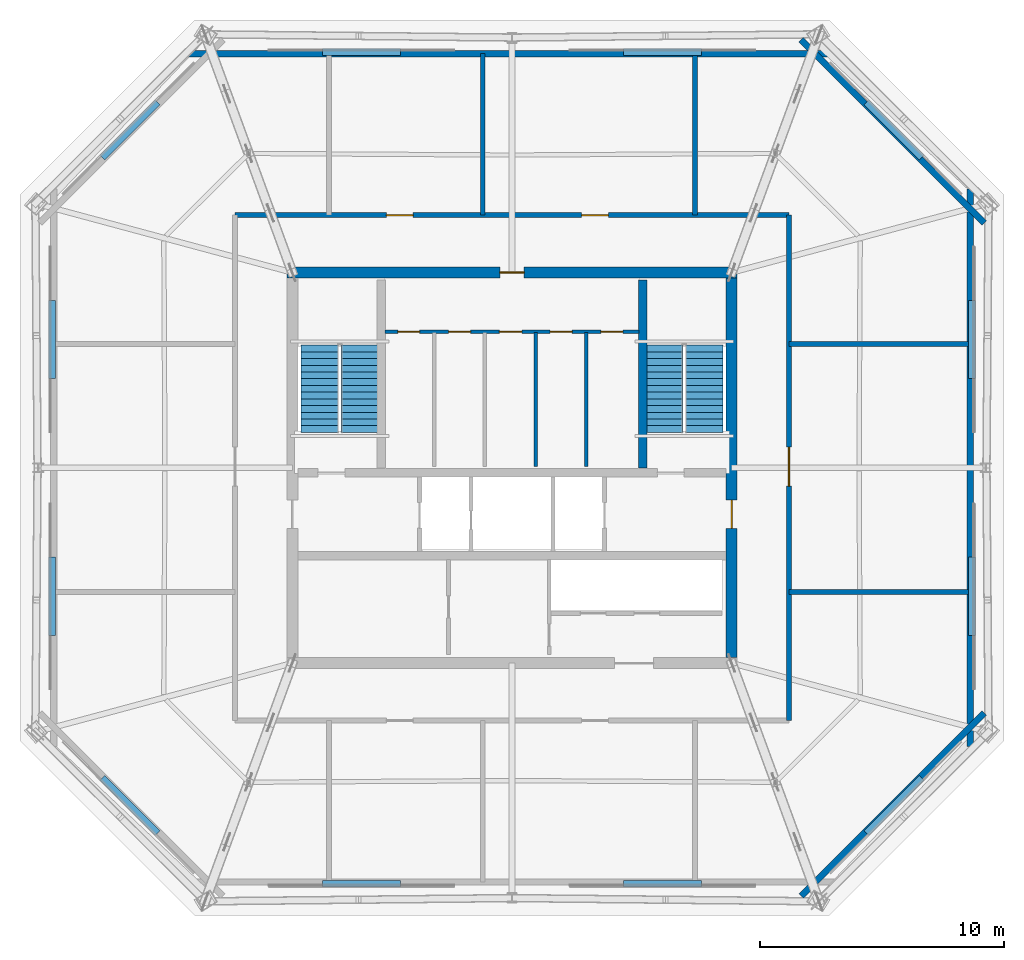
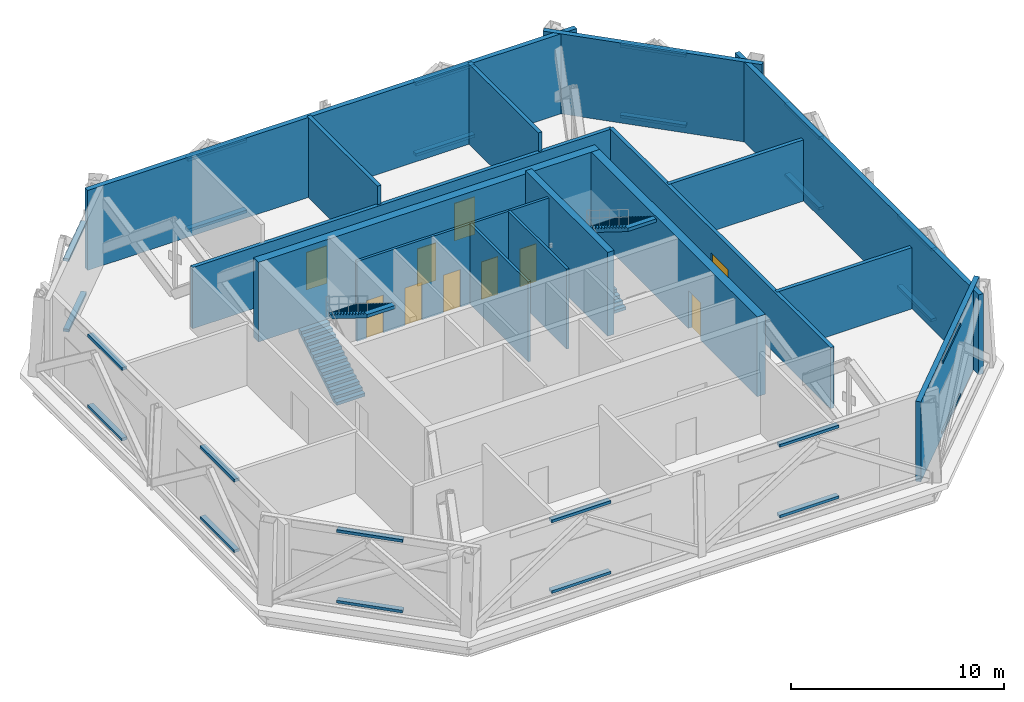
# One storey, part 8 of 10: 24 discrete accessories, 16 walls, 10 doors, 4 stair flights, 10 openings, 2 elements without a shape of their own.
"""IFC4 building model written with IfcOpenShell, lengths in metres."""

import ifcopenshell
import ifcopenshell.guid

model = None  # the IFC model being written
_history = None  # IfcOwnerHistory: only IFC2X3 demands one
_inside = {}  # id of a spatial element -> (the spatial element, [elements in it])
_under = {}  # id of a project, library or spatial element -> (it, [spatial elements below it])
_declared = {}  # id of a project -> (the project, [libraries it declares])
_typed = {}  # id of a type object -> (the type object, [elements of that type])
_made_of = {}  # id of a material, layer set ... -> (it, [elements and type objects made of it])


def new_model(schema):
    """Start an empty IFC model of exactly this schema.

    Asked for "IFC4X3", IfcOpenShell would pick the latest addendum, in which some entities
    have other attributes; the version numbers below select the first issue.
    IFC2X3 requires an IfcOwnerHistory on every rooted entity: one is made here for all.
    """
    global model, _history
    if schema == "IFC4X3":
        model = ifcopenshell.file(schema_version=(4, 3, 0, 0))
    else:
        model = ifcopenshell.file(schema=schema)
    _inside.clear()
    _under.clear()
    _declared.clear()
    _typed.clear()
    _made_of.clear()
    _history = None
    if model.schema == "IFC2X3":
        org = make("IfcOrganization", Name="unknown")
        user = make(
            "IfcPersonAndOrganization",
            ThePerson=make("IfcPerson", FamilyName="unknown"),
            TheOrganization=org,
        )
        app = make(
            "IfcApplication",
            ApplicationDeveloper=org,
            Version="unknown",
            ApplicationFullName="unknown",
            ApplicationIdentifier="unknown",
        )
        _history = make(
            "IfcOwnerHistory",
            OwningUser=user,
            OwningApplication=app,
            ChangeAction="ADDED",
            CreationDate=0,
        )
    return model


def make(cls, **values):
    """One entity of the class cls with the attributes given. An attribute that is None is left unset."""
    return model.create_entity(
        cls, **{name: value for name, value in values.items() if value is not None}
    )


def rooted(cls, **values):
    """An entity with a GlobalId (a new one), such as an element, a storey or a relation."""
    return make(cls, GlobalId=ifcopenshell.guid.new(), OwnerHistory=_history, **values)


def si_unit(unit_type, name, prefix=None):
    """IfcSIUnit, for example si_unit("LENGTHUNIT", "METRE", prefix="MILLI")."""
    return make("IfcSIUnit", UnitType=unit_type, Prefix=prefix, Name=name)


def assignment(units):
    """IfcUnitAssignment: the units of a project."""
    return None if units is None else make("IfcUnitAssignment", Units=units)


def point(xyz):
    """IfcCartesianPoint."""
    return None if xyz is None else make("IfcCartesianPoint", Coordinates=xyz)


def direction(xyz):
    """IfcDirection."""
    return None if xyz is None else make("IfcDirection", DirectionRatios=xyz)


def frame(location, z_axis=None, x_axis=None):
    """IfcAxis2Placement3D, a coordinate frame: its origin and axes. An axis left out is left unset."""
    return make(
        "IfcAxis2Placement3D",
        Location=point(location),
        Axis=direction(z_axis),
        RefDirection=direction(x_axis),
    )


def frame_2d(location, x_axis=None):
    """IfcAxis2Placement2D, a coordinate frame in the plane: its origin and x axis."""
    return make(
        "IfcAxis2Placement2D", Location=point(location), RefDirection=direction(x_axis)
    )


def origin():
    """The frame at (0, 0, 0) with its axes left unset."""
    return frame((0.0, 0.0, 0.0))


def origin_2d():
    """The frame at (0, 0) in the plane with its x axis left unset."""
    return frame_2d((0.0, 0.0))


def place(relative_to, where):
    """IfcLocalPlacement: puts the frame where relative to a parent placement (None: the world)."""
    return make(
        "IfcLocalPlacement", PlacementRelTo=relative_to, RelativePlacement=where
    )


def context(
    kind, dimensions, precision=None, world=None, true_north=None, identifier=None
):
    """IfcGeometricRepresentationContext, for example the 3D "Model" context."""
    return make(
        "IfcGeometricRepresentationContext",
        ContextIdentifier=identifier,
        ContextType=kind,
        CoordinateSpaceDimension=dimensions,
        Precision=precision,
        WorldCoordinateSystem=world,
        TrueNorth=true_north,
    )


def subcontext(parent, identifier, kind, view, scale=None):
    """IfcGeometricRepresentationSubContext, for example "Body" below "Model"."""
    return make(
        "IfcGeometricRepresentationSubContext",
        ContextIdentifier=identifier,
        ContextType=kind,
        ParentContext=parent,
        TargetScale=scale,
        TargetView=view,
    )


def project(units=None, contexts=None):
    """IfcProject with its units and contexts."""
    return rooted(
        "IfcProject",
        Name="project",
        RepresentationContexts=contexts,
        UnitsInContext=assignment(units),
    )


def spatial(cls, under=None, at=None, **own):
    """A site, building, storey or space (cls), placed at a placement, below another one or the project."""
    s = rooted(cls, ObjectPlacement=at, **own)
    if under is not None:
        _under.setdefault(under.id(), (under, []))[1].append(s)
    return s


def polyline(points):
    """IfcPolyline through the points."""
    return make("IfcPolyline", Points=[point(p) for p in points])


def profile(cls, at=None, kind="AREA", **sizes):
    """A parametric profile (cls). Its sizes go by their IFC names, for example OverallWidth=200.0."""
    return make(cls, ProfileType=kind, Position=at, **sizes)


def rectangle(**sizes):
    """IfcRectangleProfileDef."""
    return profile("IfcRectangleProfileDef", **sizes)


def outline(outer, holes=None, kind="AREA"):
    """IfcArbitraryClosedProfileDef: a profile drawn as a closed curve; with holes, ...WithVoids."""
    if holes is None:
        return make("IfcArbitraryClosedProfileDef", ProfileType=kind, OuterCurve=outer)
    return make(
        "IfcArbitraryProfileDefWithVoids",
        ProfileType=kind,
        OuterCurve=outer,
        InnerCurves=holes,
    )


def extrude(swept, where, along, depth):
    """IfcExtrudedAreaSolid: the profile swept, set in the frame where, extruded along a direction by depth."""
    return make(
        "IfcExtrudedAreaSolid",
        SweptArea=swept,
        Position=where,
        ExtrudedDirection=direction(along),
        Depth=depth,
    )


def shape(context_of_items, identifier, shape_type, items):
    """IfcShapeRepresentation: the items that make up one representation, for example the "Body"."""
    return make(
        "IfcShapeRepresentation",
        ContextOfItems=context_of_items,
        RepresentationIdentifier=identifier,
        RepresentationType=shape_type,
        Items=items,
    )


def material(Name=None, Category=None):
    """IfcMaterial."""
    return make("IfcMaterial", Name=Name, Category=Category)


def layer(
    of_material, thickness, ventilated=None, Name=None, Category=None, Priority=None
):
    """IfcMaterialLayer: one layer of a wall or slab, of a material (None: an air gap)."""
    return make(
        "IfcMaterialLayer",
        Material=of_material,
        LayerThickness=thickness,
        IsVentilated=ventilated,
        Name=Name,
        Category=Category,
        Priority=Priority,
    )


def layer_set(layers, Name=None):
    """IfcMaterialLayerSet."""
    return make("IfcMaterialLayerSet", MaterialLayers=layers, LayerSetName=Name)


def made_of(thing, what):
    """Note that an element or type object is made of a material, layer set ...; save() writes the relation."""
    if what is not None:
        _made_of.setdefault(what.id(), (what, []))[1].append(thing)
    return thing


def type_object(cls, material=None, **own):
    """A type object (cls), such as IfcWallType, which elements share."""
    return made_of(rooted(cls, **own), material)


def element(
    cls,
    number,
    at=None,
    inside=None,
    cuts=None,
    type_object=None,
    material=None,
    context=None,
    identifier="Body",
    shape_type=None,
    held_by="IfcProductDefinitionShape",
    body=None,
    shapes=None,
    **own,
):
    """One element of the class cls, such as IfcWall. Its Tag is "e" and its number.

    at: its placement. inside: the storey or other place that contains it. cuts: it is an
    opening in that element (IfcRelVoidsElement). A single representation is given by context,
    identifier, shape_type and body (its items); several are given by shapes. held_by: the class
    of the entity that holds the representations. save() writes the other relations.
    """
    e = rooted(cls, Tag="e%d" % number, ObjectPlacement=at, **own)
    if body is not None:
        shapes = [shape(context, identifier, shape_type, body)]
    if shapes is not None:
        e.Representation = make(held_by, Representations=shapes)
    if inside is not None:
        _inside.setdefault(inside.id(), (inside, []))[1].append(e)
    if cuts is not None:
        rooted(
            "IfcRelVoidsElement", RelatingBuildingElement=cuts, RelatedOpeningElement=e
        )
    if type_object is not None:
        _typed.setdefault(type_object.id(), (type_object, []))[1].append(e)
    return made_of(e, material)


def fill(opening, filler):
    """IfcRelFillsElement: the door or window that sits in an opening."""
    return rooted(
        "IfcRelFillsElement",
        RelatingOpeningElement=opening,
        RelatedBuildingElement=filler,
    )


def aggregate(whole, parts):
    """IfcRelAggregates: a whole, such as a stair, and the parts it consists of."""
    return rooted("IfcRelAggregates", RelatingObject=whole, RelatedObjects=parts)


def save(model, path):
    """Write the relations noted so far, then the file.

    IfcRelAggregates (storeys below a building ...), IfcRelContainedInSpatialStructure (elements
    in a storey), IfcRelDefinesByType, IfcRelAssociatesMaterial and IfcRelDeclares: one each for
    every whole, place, type object, material and project.
    """
    for whole, parts in _under.values():
        aggregate(whole, parts)
    for where, things in _inside.values():
        rooted(
            "IfcRelContainedInSpatialStructure",
            RelatedElements=things,
            RelatingStructure=where,
        )
    for kind, things in _typed.values():
        rooted("IfcRelDefinesByType", RelatedObjects=things, RelatingType=kind)
    for what, things in _made_of.values():
        rooted("IfcRelAssociatesMaterial", RelatedObjects=things, RelatingMaterial=what)
    for by, libraries in _declared.values():
        rooted("IfcRelDeclares", RelatingContext=by, RelatedDefinitions=libraries)
    model.write(path)


model = new_model("IFC4")

# Units and contexts
model_context = context("Model", 3, precision=1e-05, world=origin(), true_north=direction((0.0, 1.0)))
body_context = subcontext(model_context, "Body", "Model", "MODEL_VIEW")
ifc_project = project(units=[si_unit("LENGTHUNIT", "METRE"), si_unit("AREAUNIT", "SQUARE_METRE"), si_unit("VOLUMEUNIT", "CUBIC_METRE"), si_unit("PLANEANGLEUNIT", "RADIAN"), si_unit("MASSUNIT", "GRAM", prefix="KILO")], contexts=[model_context])

# Site, building, storey
site_placement = place(None, origin())
site = spatial("IfcSite", under=ifc_project, at=site_placement, CompositionType="ELEMENT")
building_placement = place(site_placement, origin())
building = spatial("IfcBuilding", under=site, at=building_placement, Name="Caelvoria Tower", CompositionType="ELEMENT")
storey_placement = place(building_placement, frame((0.0, 0.0, 234.60009765625)))
storey = spatial("IfcBuildingStorey", under=building, at=storey_placement, Name="L62", CompositionType="ELEMENT", Elevation=234.60009765625)

# Walls
ifc_material_1 = material(Name="Concrete C50/60", Category="concrete")
ifc_layer_1 = layer(ifc_material_1, 0.35009765625, Name="Concrete C50/60")
ifc_layer_set_1 = layer_set([ifc_layer_1], Name="Core Internal Shear Wall 350 - Concrete C50/60")
wall_type_1 = type_object("IfcWallType", Name="Core Internal Shear Wall 350", PredefinedType="SHEAR", material=ifc_layer_set_1)
wall_1_placement = place(storey_placement, frame((51.35009765625, 32.0, 0.0), z_axis=(0.0, 0.0, 1.0), x_axis=(0.0, 1.0, 0.0)))
element("IfcWall", 1, at=wall_1_placement, inside=storey, type_object=wall_type_1, Name="Interior Partition IW-L62-ST2W", PredefinedType="SHEAR", context=body_context, shape_type="SweptSolid", body=[
    extrude(rectangle(XDim=7.699951171875, YDim=0.35009765625, at=frame_2d((3.85009765625, 0.0))), origin(), (0.0, 0.0, 1.0), 4.7998046875),
])
ifc_material_2 = material(Name="Moisture-Resistant Gypsum on Steel Stud", Category="steel")
ifc_layer_2 = layer(ifc_material_2, 0.139892578125, Name="Moisture-Resistant Gypsum on Steel Stud")
ifc_layer_set_2 = layer_set([ifc_layer_2], Name="Core Sanitary Acoustic Partition Wall 140 - Moisture-Resistant Gypsum on Steel Stud")
wall_type_2 = type_object("IfcWallType", Name="Core Sanitary Acoustic Partition Wall 140", PredefinedType="PARTITIONING", material=ifc_layer_set_2)
for number, where, z_axis, x_axis, name in (
    (2, (46.969970703125, 32.050048828125, 0.0), (0.0, 0.0, 1.0), (0.0, 1.0, 0.0), "Interior Partition IW-L62-C1V2"),
    (3, (49.050048828125, 32.050048828125, 0.0), (0.0, 0.0, 1.0), (0.0, 1.0, 0.0), "Interior Partition IW-L62-C1V3"),
):
    element("IfcWall", number, at=place(storey_placement, frame(where, z_axis=z_axis, x_axis=x_axis)), inside=storey, type_object=wall_type_2, Name=name, PredefinedType="PARTITIONING", context=body_context, shape_type="SweptSolid", body=[
        extrude(rectangle(XDim=5.5, YDim=0.139892578125, at=frame_2d((2.75, 0.0))), origin(), (0.0, 0.0, 1.0), 4.574951171875),
    ])

# Wall, openings, doors
wall_2_placement = place(storey_placement, frame((40.800048828125, 37.580078125, 0.0), z_axis=(0.0, 0.0, 1.0), x_axis=(1.0, 0.0, 0.0)))
wall_2 = element("IfcWall", 4, at=wall_2_placement, inside=storey, type_object=wall_type_2, Name="Interior Partition IW-L62-C1H", PredefinedType="PARTITIONING", context=body_context, shape_type="SweptSolid", body=[
    extrude(rectangle(XDim=10.39990234375, YDim=0.139892578125, at=frame_2d((5.199951171875, 0.0))), origin(), (0.0, 0.0, 1.0), 4.574951171875),
])
opening_1_placement = place(wall_2_placement, frame((0.52001953125, 0.0, 0.0)))
opening_1 = element("IfcOpeningElement", 5, at=opening_1_placement, cuts=wall_2, Name="Opening ID-06", PredefinedType="OPENING", context=body_context, shape_type="SweptSolid", body=[
    extrude(rectangle(XDim=0.89990234375, YDim=2.14990234375, at=frame_2d((0.449951171875, 1.074951171875))), frame((0.0, 0.079833984375, 0.0), z_axis=(0.0, -1.0, 0.0), x_axis=(1.0, 0.0, 0.0)), (0.0, 0.0, 1.0), 0.159912109375),
])
opening_2_placement = place(wall_2_placement, frame((2.60009765625, 0.0, 0.0)))
opening_2 = element("IfcOpeningElement", 6, at=opening_2_placement, cuts=wall_2, Name="Opening ID-06", PredefinedType="OPENING", context=body_context, shape_type="SweptSolid", body=[
    extrude(rectangle(XDim=0.89990234375, YDim=2.14990234375, at=frame_2d((0.449951171875, 1.074951171875))), frame((0.0, 0.079833984375, 0.0), z_axis=(0.0, -1.0, 0.0), x_axis=(1.0, 0.0, 0.0)), (0.0, 0.0, 1.0), 0.159912109375),
])
opening_3_placement = place(wall_2_placement, frame((4.679931640625, 0.0, 0.0)))
opening_3 = element("IfcOpeningElement", 7, at=opening_3_placement, cuts=wall_2, Name="Opening ID-07", PredefinedType="OPENING", context=body_context, shape_type="SweptSolid", body=[
    extrude(rectangle(XDim=0.919921875, YDim=2.14990234375, at=frame_2d((0.4599609375, 1.074951171875))), frame((0.0, 0.079833984375, 0.0), z_axis=(0.0, -1.0, 0.0), x_axis=(1.0, 0.0, 0.0)), (0.0, 0.0, 1.0), 0.159912109375),
])
opening_4_placement = place(wall_2_placement, frame((6.760009765625, 0.0, 0.0)))
opening_4 = element("IfcOpeningElement", 8, at=opening_4_placement, cuts=wall_2, Name="Opening ID-06", PredefinedType="OPENING", context=body_context, shape_type="SweptSolid", body=[
    extrude(rectangle(XDim=0.89990234375, YDim=2.14990234375, at=frame_2d((0.449951171875, 1.074951171875))), frame((0.0, 0.079833984375, 0.0), z_axis=(0.0, -1.0, 0.0), x_axis=(1.0, 0.0, 0.0)), (0.0, 0.0, 1.0), 0.159912109375),
])
opening_5_placement = place(wall_2_placement, frame((8.840087890625, 0.0, 0.0)))
opening_5 = element("IfcOpeningElement", 9, at=opening_5_placement, cuts=wall_2, Name="Opening ID-06", PredefinedType="OPENING", context=body_context, shape_type="SweptSolid", body=[
    extrude(rectangle(XDim=0.89990234375, YDim=2.14990234375, at=frame_2d((0.449951171875, 1.074951171875))), frame((0.0, 0.079833984375, 0.0), z_axis=(0.0, -1.0, 0.0), x_axis=(1.0, 0.0, 0.0)), (0.0, 0.0, 1.0), 0.159912109375),
])
ifc_material_3 = material(Name="Engineered Andean Oak Accessible Door", Category="wood")
door_type_1 = type_object("IfcDoorType", Name="Accessible WC Door 950x2150", OperationType="NOTDEFINED", PredefinedType="DOOR", material=ifc_material_3)
door_1_placement = place(opening_3_placement, origin())
door_1 = element("IfcDoor", 10, at=door_1_placement, inside=storey, type_object=door_type_1, Name="Interior Door DR-L62-C1-3", OperationType="SINGLE_SWING_LEFT", OverallHeight=2.14990234375, OverallWidth=0.919921875, PredefinedType="DOOR", context=body_context, shape_type="SweptSolid", body=[
    extrude(rectangle(XDim=0.919921875, YDim=2.14990234375, at=frame_2d((0.4599609375, 1.074951171875))), frame((0.0, 0.02490234375, 0.0), z_axis=(0.0, -1.0, 0.0), x_axis=(1.0, 0.0, 0.0)), (0.0, 0.0, 1.0), 0.050048828125),
])
fill(opening_3, door_1)
ifc_material_4 = material(Name="Engineered Andean Oak Veneer Door", Category="wood")
door_type_2 = type_object("IfcDoorType", Name="Interior Timber Door 900x2150", OperationType="NOTDEFINED", PredefinedType="DOOR", material=ifc_material_4)
door_2_placement = place(opening_1_placement, origin())
door_2 = element("IfcDoor", 11, at=door_2_placement, inside=storey, type_object=door_type_2, Name="Interior Door DR-L62-C1-1", OperationType="SINGLE_SWING_LEFT", OverallHeight=2.14990234375, OverallWidth=0.89990234375, PredefinedType="DOOR", context=body_context, shape_type="SweptSolid", body=[
    extrude(rectangle(XDim=0.89990234375, YDim=2.14990234375, at=frame_2d((0.449951171875, 1.074951171875))), frame((0.0, 0.02490234375, 0.0), z_axis=(0.0, -1.0, 0.0), x_axis=(1.0, 0.0, 0.0)), (0.0, 0.0, 1.0), 0.050048828125),
])
fill(opening_1, door_2)
door_3_placement = place(opening_2_placement, origin())
door_3 = element("IfcDoor", 12, at=door_3_placement, inside=storey, type_object=door_type_2, Name="Interior Door DR-L62-C1-2", OperationType="SINGLE_SWING_RIGHT", OverallHeight=2.14990234375, OverallWidth=0.89990234375, PredefinedType="DOOR", context=body_context, shape_type="SweptSolid", body=[
    extrude(rectangle(XDim=0.89990234375, YDim=2.14990234375, at=frame_2d((0.449951171875, 1.074951171875))), frame((0.0, 0.02490234375, 0.0), z_axis=(0.0, -1.0, 0.0), x_axis=(1.0, 0.0, 0.0)), (0.0, 0.0, 1.0), 0.050048828125),
])
fill(opening_2, door_3)
door_4_placement = place(opening_4_placement, origin())
door_4 = element("IfcDoor", 13, at=door_4_placement, inside=storey, type_object=door_type_2, Name="Interior Door DR-L62-C1-4", OperationType="SINGLE_SWING_RIGHT", OverallHeight=2.14990234375, OverallWidth=0.89990234375, PredefinedType="DOOR", context=body_context, shape_type="SweptSolid", body=[
    extrude(rectangle(XDim=0.89990234375, YDim=2.14990234375, at=frame_2d((0.449951171875, 1.074951171875))), frame((0.0, 0.02490234375, 0.0), z_axis=(0.0, -1.0, 0.0), x_axis=(1.0, 0.0, 0.0)), (0.0, 0.0, 1.0), 0.050048828125),
])
fill(opening_4, door_4)
door_5_placement = place(opening_5_placement, origin())
door_5 = element("IfcDoor", 14, at=door_5_placement, inside=storey, type_object=door_type_2, Name="Interior Door DR-L62-C1-5", OperationType="SINGLE_SWING_LEFT", OverallHeight=2.14990234375, OverallWidth=0.89990234375, PredefinedType="DOOR", context=body_context, shape_type="SweptSolid", body=[
    extrude(rectangle(XDim=0.89990234375, YDim=2.14990234375, at=frame_2d((0.449951171875, 1.074951171875))), frame((0.0, 0.02490234375, 0.0), z_axis=(0.0, -1.0, 0.0), x_axis=(1.0, 0.0, 0.0)), (0.0, 0.0, 1.0), 0.050048828125),
])
fill(opening_5, door_5)

# Walls
ifc_material_5 = material(Name="Concrete Block and Fireboard Assembly", Category="concrete")
ifc_layer_3 = layer(ifc_material_5, 0.199951171875, Name="Concrete Block and Fireboard Assembly")
ifc_layer_set_3 = layer_set([ifc_layer_3], Name="Fire-Rated Shaft and Core Partition Wall 200 - Concrete Block and Fireboard Assembly")
wall_type_3 = type_object("IfcWallType", Name="Fire-Rated Shaft and Core Partition Wall 200", PredefinedType="PARTITIONING", material=ifc_layer_set_3)
for number, where, z_axis, x_axis, name in (
    (15, (44.800048828125, 42.35009765625, 0.0), (0.0, 0.0, 1.0), (0.0, 1.0, 0.0), "Interior Partition IW-L62-PLT-NM"),
    (16, (53.5, 42.35009765625, 0.0), (0.0, 0.0, 1.0), (0.0, 1.0, 0.0), "Interior Partition IW-L62-OCH-SEN"),
):
    element("IfcWall", number, at=place(storey_placement, frame(where, z_axis=z_axis, x_axis=x_axis)), inside=storey, type_object=wall_type_3, Name=name, PredefinedType="PARTITIONING", context=body_context, shape_type="SweptSolid", body=[
        extrude(rectangle(XDim=6.615478515625, YDim=0.199951171875, at=frame_2d((3.3076171875, 0.0))), origin(), (0.0, 0.0, 1.0), 4.574951171875),
    ])

# Wall, openings, doors
wall_3_placement = place(storey_placement, frame((34.64990234375, 42.35009765625, 0.0), z_axis=(0.0, 0.0, 1.0), x_axis=(1.0, 0.0, 0.0)))
wall_3 = element("IfcWall", 17, at=wall_3_placement, inside=storey, type_object=wall_type_3, Name="Interior Partition IW-L62-CRN", PredefinedType="PARTITIONING", context=body_context, shape_type="SweptSolid", body=[
    extrude(rectangle(XDim=22.7001953125, YDim=0.199951171875, at=frame_2d((11.35009765625, 0.0))), origin(), (0.0, 0.0, 1.0), 3.5048828125),
])
opening_6_placement = place(wall_3_placement, frame((6.199951171875, 0.0, 0.0)))
opening_6 = element("IfcOpeningElement", 18, at=opening_6_placement, cuts=wall_3, Name="Opening ID-01", PredefinedType="OPENING", context=body_context, shape_type="SweptSolid", body=[
    extrude(rectangle(XDim=1.10009765625, YDim=2.14990234375, at=frame_2d((0.550048828125, 1.074951171875))), frame((0.0, 0.10986328125, 0.0), z_axis=(0.0, -1.0, 0.0), x_axis=(1.0, 0.0, 0.0)), (0.0, 0.0, 1.0), 0.219970703125),
])
opening_7_placement = place(wall_3_placement, frame((14.199951171875, 0.0, 0.0)))
opening_7 = element("IfcOpeningElement", 19, at=opening_7_placement, cuts=wall_3, Name="Opening ID-01", PredefinedType="OPENING", context=body_context, shape_type="SweptSolid", body=[
    extrude(rectangle(XDim=1.10009765625, YDim=2.14990234375, at=frame_2d((0.550048828125, 1.074951171875))), frame((0.0, 0.10986328125, 0.0), z_axis=(0.0, -1.0, 0.0), x_axis=(1.0, 0.0, 0.0)), (0.0, 0.0, 1.0), 0.219970703125),
])
ifc_material_6 = material(Name="Painted Hollow Steel Fire Door", Category="steel")
door_type_3 = type_object("IfcDoorType", Name="Fire Door FD90S 1100x2150", OperationType="NOTDEFINED", PredefinedType="DOOR", material=ifc_material_6)
door_6_placement = place(opening_6_placement, origin())
door_6 = element("IfcDoor", 20, at=door_6_placement, inside=storey, type_object=door_type_3, Name="Interior Door DR-L62-PLTN1", OperationType="SINGLE_SWING_RIGHT", OverallHeight=2.14990234375, OverallWidth=1.10009765625, PredefinedType="DOOR", context=body_context, shape_type="SweptSolid", body=[
    extrude(rectangle(XDim=1.10009765625, YDim=2.14990234375, at=frame_2d((0.550048828125, 1.074951171875))), frame((0.0, 0.02490234375, 0.0), z_axis=(0.0, -1.0, 0.0), x_axis=(1.0, 0.0, 0.0)), (0.0, 0.0, 1.0), 0.050048828125),
])
fill(opening_6, door_6)
door_7_placement = place(opening_7_placement, origin())
door_7 = element("IfcDoor", 21, at=door_7_placement, inside=storey, type_object=door_type_3, Name="Interior Door DR-L62-PLTN2", OperationType="SINGLE_SWING_LEFT", OverallHeight=2.14990234375, OverallWidth=1.10009765625, PredefinedType="DOOR", context=body_context, shape_type="SweptSolid", body=[
    extrude(rectangle(XDim=1.10009765625, YDim=2.14990234375, at=frame_2d((0.550048828125, 1.074951171875))), frame((0.0, 0.02490234375, 0.0), z_axis=(0.0, -1.0, 0.0), x_axis=(1.0, 0.0, 0.0)), (0.0, 0.0, 1.0), 0.050048828125),
])
fill(opening_7, door_7)

# Wall, opening, door
wall_4_placement = place(storey_placement, frame((57.35009765625, 21.64990234375, 0.0), z_axis=(0.0, 0.0, 1.0), x_axis=(0.0, 1.0, 0.0)))
wall_4 = element("IfcWall", 22, at=wall_4_placement, inside=storey, type_object=wall_type_3, Name="Interior Partition IW-L62-CRE", PredefinedType="PARTITIONING", context=body_context, shape_type="SweptSolid", body=[
    extrude(rectangle(XDim=20.7001953125, YDim=0.199951171875, at=frame_2d((10.35009765625, 0.0))), origin(), (0.0, 0.0, 1.0), 3.5048828125),
])
opening_8_placement = place(wall_4_placement, frame((9.60009765625, 0.0, 0.0)))
opening_8 = element("IfcOpeningElement", 23, at=opening_8_placement, cuts=wall_4, Name="Opening ID-08", PredefinedType="OPENING", context=body_context, shape_type="SweptSolid", body=[
    extrude(rectangle(XDim=1.60009765625, YDim=2.14990234375, at=frame_2d((0.800048828125, 1.074951171875))), frame((0.0, 0.10986328125, 0.0), z_axis=(0.0, -1.0, 0.0), x_axis=(1.0, 0.0, 0.0)), (0.0, 0.0, 1.0), 0.219970703125),
])
ifc_material_7 = material(Name="Bronze-Framed Fire-Rated Glazed Double Door", Category="aluminium")
door_type_4 = type_object("IfcDoorType", Name="Double Lobby Glazed Door 1600x2200", OperationType="NOTDEFINED", PredefinedType="DOOR", material=ifc_material_7)
door_8_placement = place(opening_8_placement, origin())
door_8 = element("IfcDoor", 24, at=door_8_placement, inside=storey, type_object=door_type_4, Name="Interior Door DR-L62-REFE", OperationType="DOUBLE_DOOR_SINGLE_SWING", OverallHeight=2.14990234375, OverallWidth=1.60009765625, PredefinedType="DOOR", context=body_context, shape_type="SweptSolid", body=[
    extrude(rectangle(XDim=1.60009765625, YDim=2.14990234375, at=frame_2d((0.800048828125, 1.074951171875))), frame((0.0, 0.02490234375, 0.0), z_axis=(0.0, -1.0, 0.0), x_axis=(1.0, 0.0, 0.0)), (0.0, 0.0, 1.0), 0.050048828125),
])
fill(opening_8, door_8)

# Walls
for number, where, z_axis, x_axis, name in (
    (25, (57.35009765625, 26.919921875, 0.0), (0.0, 0.0, 1.0), (1.0, 0.0, 0.0), "Interior Partition IW-L62-RSEP-ES"),
    (26, (57.35009765625, 37.080078125, 0.0), (0.0, 0.0, 1.0), (1.0, 0.0, 0.0), "Interior Partition IW-L62-RSEP-EN"),
):
    element("IfcWall", number, at=place(storey_placement, frame(where, z_axis=z_axis, x_axis=x_axis)), inside=storey, type_object=wall_type_3, Name=name, PredefinedType="PARTITIONING", context=body_context, shape_type="SweptSolid", body=[
        extrude(rectangle(XDim=7.42431640625, YDim=0.199951171875, at=frame_2d((3.712158203125, 0.0))), origin(), (0.0, 0.0, 1.0), 3.5048828125),
    ])
ifc_material_8 = material(Name="Precast Concrete C40/50", Category="concrete")
ifc_layer_4 = layer(ifc_material_8, 0.260009765625, Name="Precast Concrete C40/50")
ifc_layer_set_4 = layer_set([ifc_layer_4], Name="Plant Room Acoustic Louvred Facade Wall 260 - Precast Concrete C40/50")
wall_type_4 = type_object("IfcWallType", Name="Plant Room Acoustic Louvred Facade Wall 260", PredefinedType="STANDARD", material=ifc_layer_set_4)
wall_5_placement = place(storey_placement, frame((57.845458984375, 14.460693359375, 0.0), z_axis=(0.0, 0.0, 1.0), x_axis=(0.707106781187, 0.707106781187, 0.0)))
element("IfcWall", 27, at=wall_5_placement, inside=storey, type_object=wall_type_4, Name="Exterior Facade Wall L62-E1", PredefinedType="STANDARD", context=body_context, shape_type="SweptSolid", body=[
    extrude(rectangle(XDim=10.61083984375, YDim=0.260009765625, at=frame_2d((5.305419921875, 0.0))), origin(), (0.0, 0.0, 1.0), 4.574951171875),
])
wall_6_placement = place(storey_placement, frame((64.7744140625, 20.578125, 0.0), z_axis=(0.0, 0.0, 1.0), x_axis=(0.0, 1.0, 0.0)))
element("IfcWall", 28, at=wall_6_placement, inside=storey, type_object=wall_type_4, Name="Exterior Facade Wall L62-E2", PredefinedType="STANDARD", context=body_context, shape_type="SweptSolid", body=[
    extrude(rectangle(XDim=22.84375, YDim=0.260009765625, at=frame_2d((11.421875, 0.0))), origin(), (0.0, 0.0, 1.0), 4.574951171875),
])
wall_7_placement = place(storey_placement, frame((65.348388671875, 42.036376953125, 0.0), z_axis=(0.0, 0.0, 1.0), x_axis=(-0.707106781187, 0.707106781187, 0.0)))
element("IfcWall", 29, at=wall_7_placement, inside=storey, type_object=wall_type_4, Name="Exterior Facade Wall L62-E3", PredefinedType="STANDARD", context=body_context, shape_type="SweptSolid", body=[
    extrude(rectangle(XDim=10.61083984375, YDim=0.260009765625, at=frame_2d((5.305419921875, 0.0))), origin(), (0.0, 0.0, 1.0), 4.574951171875),
])
wall_8_placement = place(storey_placement, frame((59.23095703125, 48.965576171875, 0.0), z_axis=(0.0, 0.0, 1.0), x_axis=(-1.0, 0.0, 0.0)))
element("IfcWall", 30, at=wall_8_placement, inside=storey, type_object=wall_type_4, Name="Exterior Facade Wall L62-E4", PredefinedType="STANDARD", context=body_context, shape_type="SweptSolid", body=[
    extrude(rectangle(XDim=26.4619140625, YDim=0.260009765625, at=frame_2d((13.23095703125, 0.0))), origin(), (0.0, 0.0, 1.0), 4.574951171875),
])

# Wall, opening, door
ifc_layer_5 = layer(ifc_material_1, 0.449951171875, Name="Concrete C50/60")
ifc_layer_set_5 = layer_set([ifc_layer_5], Name="Upper Core Shear Wall 450 - Concrete C50/60")
wall_type_5 = type_object("IfcWallType", Name="Upper Core Shear Wall 450", PredefinedType="SHEAR", material=ifc_layer_set_5)
wall_9_placement = place(storey_placement, frame((36.77490234375, 40.0, 0.0), z_axis=(0.0, 0.0, 1.0), x_axis=(1.0, 0.0, 0.0)))
wall_9 = element("IfcWall", 31, at=wall_9_placement, inside=storey, type_object=wall_type_5, Name="Core Shear Wall L62 N", PredefinedType="SHEAR", context=body_context, shape_type="SweptSolid", body=[
    extrude(rectangle(XDim=18.4501953125, YDim=0.449951171875, at=frame_2d((9.22509765625, 0.0))), origin(), (0.0, 0.0, 1.0), 4.559814453125),
])
opening_9_placement = place(wall_9_placement, frame((8.72509765625, 0.0, 0.0)))
opening_9 = element("IfcOpeningElement", 32, at=opening_9_placement, cuts=wall_9, Name="Opening ID-03", PredefinedType="OPENING", context=body_context, shape_type="SweptSolid", body=[
    extrude(rectangle(XDim=1.0, YDim=2.14990234375, at=frame_2d((0.5, 1.074951171875))), frame((0.0, 0.23486328125, 0.0), z_axis=(0.0, -1.0, 0.0), x_axis=(1.0, 0.0, 0.0)), (0.0, 0.0, 1.0), 0.469970703125),
])
door_type_5 = type_object("IfcDoorType", Name="Fire Door FD60S 1000x2150", OperationType="NOTDEFINED", PredefinedType="DOOR", material=ifc_material_6)
door_9_placement = place(opening_9_placement, origin())
door_9 = element("IfcDoor", 33, at=door_9_placement, inside=storey, type_object=door_type_5, Name="Core Door DR-L62-WC-MAIN", OperationType="SINGLE_SWING_RIGHT", OverallHeight=2.14990234375, OverallWidth=1.0, PredefinedType="DOOR", context=body_context, shape_type="SweptSolid", body=[
    extrude(rectangle(XDim=1.0, YDim=2.14990234375, at=frame_2d((0.5, 1.074951171875))), frame((0.0, 0.02490234375, 0.0), z_axis=(0.0, -1.0, 0.0), x_axis=(1.0, 0.0, 0.0)), (0.0, 0.0, 1.0), 0.050048828125),
])
fill(opening_9, door_9)

wall_10_placement = place(storey_placement, frame((55.0, 24.22509765625, 0.0), z_axis=(0.0, 0.0, 1.0), x_axis=(0.0, 1.0, 0.0)))
wall_10 = element("IfcWall", 34, at=wall_10_placement, inside=storey, type_object=wall_type_5, Name="Core Shear Wall L62 E", PredefinedType="SHEAR", context=body_context, shape_type="SweptSolid", body=[
    extrude(rectangle(XDim=15.5498046875, YDim=0.449951171875, at=frame_2d((7.77490234375, 0.0))), origin(), (0.0, 0.0, 1.0), 4.559814453125),
])
opening_10_placement = place(wall_10_placement, frame((5.300048828125, 0.0, 0.0)))
opening_10 = element("IfcOpeningElement", 35, at=opening_10_placement, cuts=wall_10, Name="Opening ID-02", PredefinedType="OPENING", context=body_context, shape_type="SweptSolid", body=[
    extrude(rectangle(XDim=1.14990234375, YDim=2.14990234375, at=frame_2d((0.574951171875, 1.074951171875))), frame((0.0, 0.23486328125, 0.0), z_axis=(0.0, -1.0, 0.0), x_axis=(1.0, 0.0, 0.0)), (0.0, 0.0, 1.0), 0.469970703125),
])
door_type_6 = type_object("IfcDoorType", Name="Fire Door FD60S 1150x2150", OperationType="NOTDEFINED", PredefinedType="DOOR", material=ifc_material_6)
door_10_placement = place(opening_10_placement, origin())
door_10 = element("IfcDoor", 36, at=door_10_placement, inside=storey, type_object=door_type_6, Name="Core Door DR-L62-FFLE-OUT", OperationType="SINGLE_SWING_RIGHT", OverallHeight=2.14990234375, OverallWidth=1.14990234375, PredefinedType="DOOR", context=body_context, shape_type="SweptSolid", body=[
    extrude(rectangle(XDim=1.14990234375, YDim=2.14990234375, at=frame_2d((0.574951171875, 1.074951171875))), frame((0.0, 0.02490234375, 0.0), z_axis=(0.0, -1.0, 0.0), x_axis=(1.0, 0.0, 0.0)), (0.0, 0.0, 1.0), 0.050048828125),
])
fill(opening_10, door_10)

# Stair, stair flights
ifc_material_9 = material(Name="Concrete C40/50", Category="concrete")
stair_type = type_object("IfcStairType", Name="Core Smokeproof Dogleg Stair Concrete C40/50", PredefinedType="HALF_TURN_STAIR", material=ifc_material_9)
stair_1_placement = place(storey_placement, origin())
stair_1 = element("IfcStair", 37, at=stair_1_placement, inside=storey, type_object=stair_type, Name="ST-01 Smokeproof Exit Stair L62", PredefinedType="HALF_TURN_STAIR")
stair_flight_type = type_object("IfcStairFlightType", Name="Precast Concrete C40/50 Stair Flight 1480", PredefinedType="STRAIGHT", material=ifc_material_8)
stair_flight_1_placement = place(storey_placement, frame((38.1298828125, 33.449951171875, 0.0), z_axis=(0.0, 0.0, 1.0), x_axis=(0.0, 1.0, 0.0)))
stair_flight_1 = element("IfcStairFlight", 38, at=stair_flight_1_placement, type_object=stair_flight_type, Name="ST-01 flight 1", NumberOfRisers=14, NumberOfTreads=13, PredefinedType="STRAIGHT", RiserHeight=0.1714, TreadLength=0.275, context=body_context, shape_type="SweptSolid", body=[
    extrude(outline(polyline([(0.0, 0.0), (0.0, 0.17138671875), (0.27490234375, 0.17138671875), (0.27490234375, 0.3427734375), (0.550048828125, 0.3427734375), (0.550048828125, 0.51416015625), (0.824951171875, 0.51416015625), (0.824951171875, 0.685546875), (1.10009765625, 0.685546875), (1.10009765625, 0.85693359375), (1.375, 0.85693359375), (1.375, 1.0283203125), (1.64990234375, 1.0283203125), (1.64990234375, 1.19970703125), (1.925048828125, 1.19970703125), (1.925048828125, 1.37109375), (2.199951171875, 1.37109375), (2.199951171875, 1.54248046875), (2.47509765625, 1.54248046875), (2.47509765625, 1.714111328125), (2.75, 1.714111328125), (2.75, 1.885498046875), (3.02490234375, 1.885498046875), (3.02490234375, 2.056884765625), (3.300048828125, 2.056884765625), (3.300048828125, 2.228271484375), (3.574951171875, 2.228271484375), (3.574951171875, 2.399658203125), (3.574951171875, 2.039794921875), (0.30224609375, 0.0), (0.0, 0.0)])), frame((0.0, 0.77001953125, 0.0), z_axis=(0.0, -1.0, 0.0), x_axis=(1.0, 0.0, 0.0)), (0.0, 0.0, 1.0), 1.5400390625),
])
stair_flight_2_placement = place(storey_placement, frame((39.77001953125, 37.02490234375, 2.39990234375), z_axis=(0.0, 0.0, 1.0), x_axis=(0.0, -1.0, 0.0)))
stair_flight_2 = element("IfcStairFlight", 39, at=stair_flight_2_placement, type_object=stair_flight_type, Name="ST-01 flight 2", NumberOfRisers=14, NumberOfTreads=13, PredefinedType="STRAIGHT", RiserHeight=0.1714, TreadLength=0.275, context=body_context, shape_type="SweptSolid", body=[
    extrude(outline(polyline([(0.0, 0.0), (0.0, 0.17138671875), (0.27490234375, 0.17138671875), (0.27490234375, 0.3427734375), (0.550048828125, 0.3427734375), (0.550048828125, 0.51416015625), (0.824951171875, 0.51416015625), (0.824951171875, 0.685546875), (1.10009765625, 0.685546875), (1.10009765625, 0.85693359375), (1.375, 0.85693359375), (1.375, 1.0283203125), (1.64990234375, 1.0283203125), (1.64990234375, 1.19970703125), (1.925048828125, 1.19970703125), (1.925048828125, 1.37109375), (2.199951171875, 1.37109375), (2.199951171875, 1.54248046875), (2.47509765625, 1.54248046875), (2.47509765625, 1.714111328125), (2.75, 1.714111328125), (2.75, 1.885498046875), (3.02490234375, 1.885498046875), (3.02490234375, 2.056884765625), (3.300048828125, 2.056884765625), (3.300048828125, 2.228271484375), (3.574951171875, 2.228271484375), (3.574951171875, 2.399658203125), (3.574951171875, 2.039794921875), (0.30224609375, 0.0), (0.0, 0.0)])), frame((0.0, 0.77001953125, 0.0), z_axis=(0.0, -1.0, 0.0), x_axis=(1.0, 0.0, 0.0)), (0.0, 0.0, 1.0), 1.5400390625),
])
aggregate(stair_1, [stair_flight_1, stair_flight_2])

stair_2_placement = place(storey_placement, origin())
stair_2 = element("IfcStair", 40, at=stair_2_placement, inside=storey, type_object=stair_type, Name="ST-02 Smokeproof Exit Stair L62", PredefinedType="HALF_TURN_STAIR")
stair_flight_3_placement = place(storey_placement, frame((52.22998046875, 33.449951171875, 0.0), z_axis=(0.0, 0.0, 1.0), x_axis=(0.0, 1.0, 0.0)))
stair_flight_3 = element("IfcStairFlight", 41, at=stair_flight_3_placement, type_object=stair_flight_type, Name="ST-02 flight 1", NumberOfRisers=14, NumberOfTreads=13, PredefinedType="STRAIGHT", RiserHeight=0.1714, TreadLength=0.275, context=body_context, shape_type="SweptSolid", body=[
    extrude(outline(polyline([(0.0, 0.0), (0.0, 0.17138671875), (0.27490234375, 0.17138671875), (0.27490234375, 0.3427734375), (0.550048828125, 0.3427734375), (0.550048828125, 0.51416015625), (0.824951171875, 0.51416015625), (0.824951171875, 0.685546875), (1.10009765625, 0.685546875), (1.10009765625, 0.85693359375), (1.375, 0.85693359375), (1.375, 1.0283203125), (1.64990234375, 1.0283203125), (1.64990234375, 1.19970703125), (1.925048828125, 1.19970703125), (1.925048828125, 1.37109375), (2.199951171875, 1.37109375), (2.199951171875, 1.54248046875), (2.47509765625, 1.54248046875), (2.47509765625, 1.714111328125), (2.75, 1.714111328125), (2.75, 1.885498046875), (3.02490234375, 1.885498046875), (3.02490234375, 2.056884765625), (3.300048828125, 2.056884765625), (3.300048828125, 2.228271484375), (3.574951171875, 2.228271484375), (3.574951171875, 2.399658203125), (3.574951171875, 2.039794921875), (0.30224609375, 0.0), (0.0, 0.0)])), frame((0.0, 0.77001953125, 0.0), z_axis=(0.0, -1.0, 0.0), x_axis=(1.0, 0.0, 0.0)), (0.0, 0.0, 1.0), 1.5400390625),
])
stair_flight_4_placement = place(storey_placement, frame((53.8701171875, 37.02490234375, 2.39990234375), z_axis=(0.0, 0.0, 1.0), x_axis=(0.0, -1.0, 0.0)))
stair_flight_4 = element("IfcStairFlight", 42, at=stair_flight_4_placement, type_object=stair_flight_type, Name="ST-02 flight 2", NumberOfRisers=14, NumberOfTreads=13, PredefinedType="STRAIGHT", RiserHeight=0.1714, TreadLength=0.275, context=body_context, shape_type="SweptSolid", body=[
    extrude(outline(polyline([(0.0, 0.0), (0.0, 0.17138671875), (0.27490234375, 0.17138671875), (0.27490234375, 0.3427734375), (0.550048828125, 0.3427734375), (0.550048828125, 0.51416015625), (0.824951171875, 0.51416015625), (0.824951171875, 0.685546875), (1.10009765625, 0.685546875), (1.10009765625, 0.85693359375), (1.375, 0.85693359375), (1.375, 1.0283203125), (1.64990234375, 1.0283203125), (1.64990234375, 1.19970703125), (1.925048828125, 1.19970703125), (1.925048828125, 1.37109375), (2.199951171875, 1.37109375), (2.199951171875, 1.54248046875), (2.47509765625, 1.54248046875), (2.47509765625, 1.714111328125), (2.75, 1.714111328125), (2.75, 1.885498046875), (3.02490234375, 1.885498046875), (3.02490234375, 2.056884765625), (3.300048828125, 2.056884765625), (3.300048828125, 2.228271484375), (3.574951171875, 2.228271484375), (3.574951171875, 2.399658203125), (3.574951171875, 2.039794921875), (0.30224609375, 0.0), (0.0, 0.0)])), frame((0.0, 0.77001953125, 0.0), z_axis=(0.0, -1.0, 0.0), x_axis=(1.0, 0.0, 0.0)), (0.0, 0.0, 1.0), 1.5400390625),
])
aggregate(stair_2, [stair_flight_3, stair_flight_4])

# Discrete accessories
ifc_material_10 = material(Name="Anodised Bronze Stainless Bracket", Category="bronze")
discrete_accessory_type = type_object("IfcDiscreteAccessoryType", Name="Solar Screen Outrigger Support Bracket", PredefinedType="BRACKET", material=ifc_material_10)
for number, where, z_axis, x_axis, name in (
    (43, (39.834716796875, 14.962890625, 0.23974609375), (0.0, 0.0, 1.0), (1.0, 0.0, 0.0), "Solar Screen Bracket L62-E0-00"),
    (44, (39.834716796875, 14.962890625, 4.27490234375), (0.0, 0.0, 1.0), (1.0, 0.0, 0.0), "Upper Screen Band Bracket L62-E0-00"),
    (45, (52.165283203125, 14.962890625, 0.23974609375), (0.0, 0.0, 1.0), (1.0, 0.0, 0.0), "Solar Screen Bracket L62-E0-01"),
    (46, (52.165283203125, 14.962890625, 4.27490234375), (0.0, 0.0, 1.0), (1.0, 0.0, 0.0), "Upper Screen Band Bracket L62-E0-01"),
    (47, (61.6474609375, 18.16162109375, 0.23974609375), (0.0, 0.0, 1.0), (0.707106781187, 0.707106781187, 0.0), "Solar Screen Bracket L62-E1-00"),
    (48, (61.6474609375, 18.16162109375, 4.27490234375), (0.0, 0.0, 1.0), (0.707106781187, 0.707106781187, 0.0), "Upper Screen Band Bracket L62-E1-00"),
    (49, (64.845947265625, 26.739013671875, 0.23974609375), (0.0, 0.0, 1.0), (0.0, 1.0, 0.0), "Solar Screen Bracket L62-E2-00"),
    (50, (64.845947265625, 26.739013671875, 4.27490234375), (0.0, 0.0, 1.0), (0.0, 1.0, 0.0), "Upper Screen Band Bracket L62-E2-00"),
    (51, (64.845947265625, 37.260986328125, 0.23974609375), (0.0, 0.0, 1.0), (0.0, 1.0, 0.0), "Solar Screen Bracket L62-E2-01"),
    (52, (64.845947265625, 37.260986328125, 4.27490234375), (0.0, 0.0, 1.0), (0.0, 1.0, 0.0), "Upper Screen Band Bracket L62-E2-01"),
    (53, (61.6474609375, 45.83837890625, 0.23974609375), (0.0, 0.0, 1.0), (-0.707106781187, 0.707106781187, 0.0), "Solar Screen Bracket L62-E3-00"),
    (54, (61.6474609375, 45.83837890625, 4.27490234375), (0.0, 0.0, 1.0), (-0.707106781187, 0.707106781187, 0.0), "Upper Screen Band Bracket L62-E3-00"),
    (55, (52.165283203125, 49.037109375, 0.23974609375), (0.0, 0.0, 1.0), (-1.0, 0.0, 0.0), "Solar Screen Bracket L62-E4-00"),
    (56, (52.165283203125, 49.037109375, 4.27490234375), (0.0, 0.0, 1.0), (-1.0, 0.0, 0.0), "Upper Screen Band Bracket L62-E4-00"),
    (57, (39.834716796875, 49.037109375, 0.23974609375), (0.0, 0.0, 1.0), (-1.0, 0.0, 0.0), "Solar Screen Bracket L62-E4-01"),
    (58, (39.834716796875, 49.037109375, 4.27490234375), (0.0, 0.0, 1.0), (-1.0, 0.0, 0.0), "Upper Screen Band Bracket L62-E4-01"),
    (59, (30.3525390625, 45.83837890625, 0.23974609375), (0.0, 0.0, 1.0), (-0.707106781187, -0.707106781187, 0.0), "Solar Screen Bracket L62-E5-00"),
    (60, (30.3525390625, 45.83837890625, 4.27490234375), (0.0, 0.0, 1.0), (-0.707106781187, -0.707106781187, 0.0), "Upper Screen Band Bracket L62-E5-00"),
    (61, (27.154052734375, 37.260986328125, 0.23974609375), (0.0, 0.0, 1.0), (0.0, -1.0, 0.0), "Solar Screen Bracket L62-E6-00"),
    (62, (27.154052734375, 37.260986328125, 4.27490234375), (0.0, 0.0, 1.0), (0.0, -1.0, 0.0), "Upper Screen Band Bracket L62-E6-00"),
    (63, (27.154052734375, 26.739013671875, 0.23974609375), (0.0, 0.0, 1.0), (0.0, -1.0, 0.0), "Solar Screen Bracket L62-E6-01"),
    (64, (27.154052734375, 26.739013671875, 4.27490234375), (0.0, 0.0, 1.0), (0.0, -1.0, 0.0), "Upper Screen Band Bracket L62-E6-01"),
    (65, (30.3525390625, 18.16162109375, 0.23974609375), (0.0, 0.0, 1.0), (0.707106781187, -0.707106781187, 0.0), "Solar Screen Bracket L62-E7-00"),
    (66, (30.3525390625, 18.16162109375, 4.27490234375), (0.0, 0.0, 1.0), (0.707106781187, -0.707106781187, 0.0), "Upper Screen Band Bracket L62-E7-00"),
):
    element("IfcDiscreteAccessory", number, at=place(storey_placement, frame(where, z_axis=z_axis, x_axis=x_axis)), inside=storey, type_object=discrete_accessory_type, Name=name, PredefinedType="BRACKET", context=body_context, shape_type="SweptSolid", body=[
        extrude(rectangle(XDim=3.199951171875, YDim=0.280029296875, at=origin_2d()), origin(), (0.0, 0.0, 1.0), 0.159912109375),
    ])

save(model, "model.ifc")
